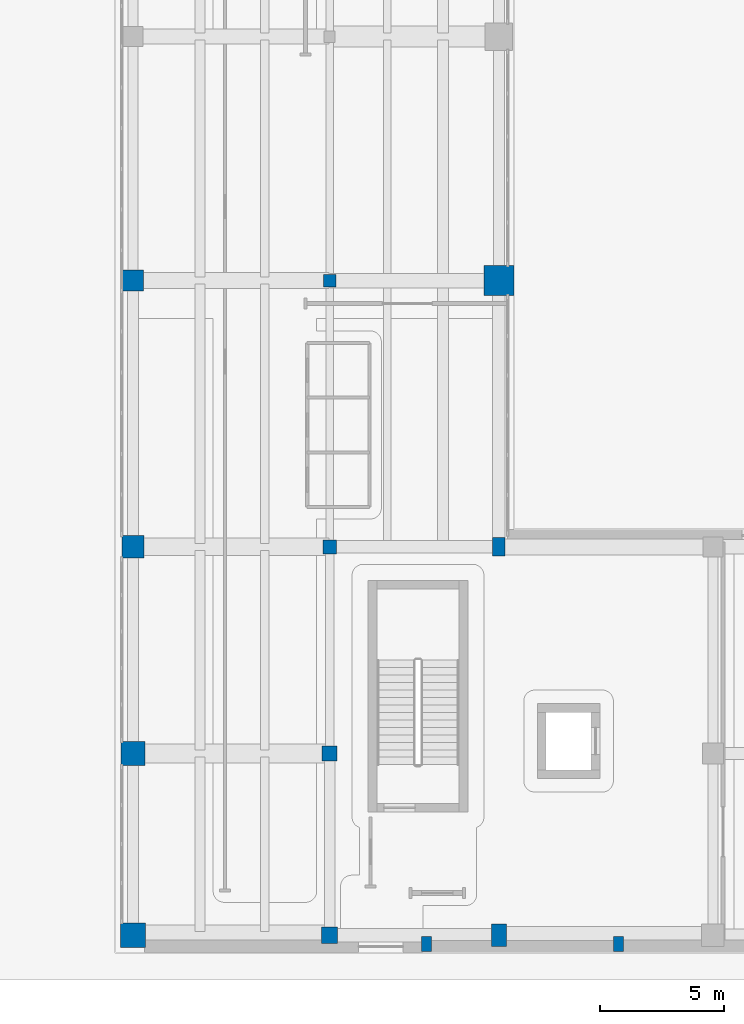
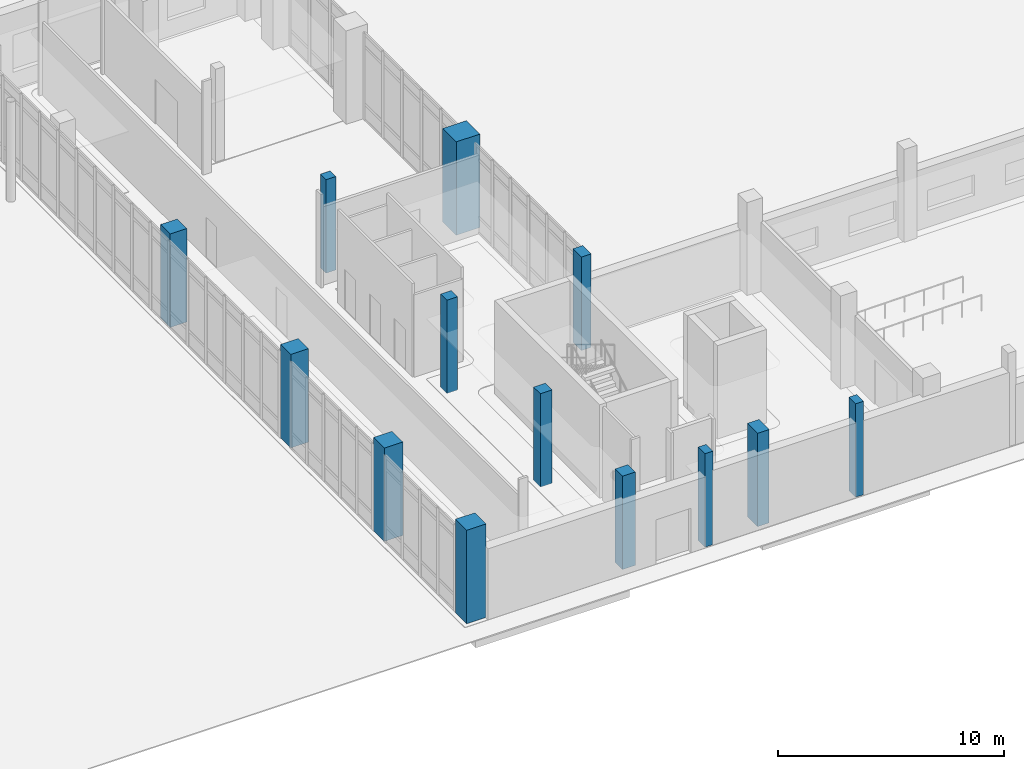
# One storey, part 4 of 74: 13 columns.
"""IFC4 building model written with IfcOpenShell, lengths in metres."""

import ifcopenshell
import ifcopenshell.guid

model = None  # the IFC model being written
_history = None  # IfcOwnerHistory: only IFC2X3 demands one
_inside = {}  # id of a spatial element -> (the spatial element, [elements in it])
_under = {}  # id of a project, library or spatial element -> (it, [spatial elements below it])
_declared = {}  # id of a project -> (the project, [libraries it declares])
_typed = {}  # id of a type object -> (the type object, [elements of that type])
_made_of = {}  # id of a material, layer set ... -> (it, [elements and type objects made of it])


def new_model(schema):
    """Start an empty IFC model of exactly this schema.

    Asked for "IFC4X3", IfcOpenShell would pick the latest addendum, in which some entities
    have other attributes; the version numbers below select the first issue.
    IFC2X3 requires an IfcOwnerHistory on every rooted entity: one is made here for all.
    """
    global model, _history
    if schema == "IFC4X3":
        model = ifcopenshell.file(schema_version=(4, 3, 0, 0))
    else:
        model = ifcopenshell.file(schema=schema)
    _inside.clear()
    _under.clear()
    _declared.clear()
    _typed.clear()
    _made_of.clear()
    _history = None
    if model.schema == "IFC2X3":
        org = make("IfcOrganization", Name="unknown")
        user = make(
            "IfcPersonAndOrganization",
            ThePerson=make("IfcPerson", FamilyName="unknown"),
            TheOrganization=org,
        )
        app = make(
            "IfcApplication",
            ApplicationDeveloper=org,
            Version="unknown",
            ApplicationFullName="unknown",
            ApplicationIdentifier="unknown",
        )
        _history = make(
            "IfcOwnerHistory",
            OwningUser=user,
            OwningApplication=app,
            ChangeAction="ADDED",
            CreationDate=0,
        )
    return model


def make(cls, **values):
    """One entity of the class cls with the attributes given. An attribute that is None is left unset."""
    return model.create_entity(
        cls, **{name: value for name, value in values.items() if value is not None}
    )


def rooted(cls, **values):
    """An entity with a GlobalId (a new one), such as an element, a storey or a relation."""
    return make(cls, GlobalId=ifcopenshell.guid.new(), OwnerHistory=_history, **values)


def si_unit(unit_type, name, prefix=None):
    """IfcSIUnit, for example si_unit("LENGTHUNIT", "METRE", prefix="MILLI")."""
    return make("IfcSIUnit", UnitType=unit_type, Prefix=prefix, Name=name)


def assignment(units):
    """IfcUnitAssignment: the units of a project."""
    return None if units is None else make("IfcUnitAssignment", Units=units)


def point(xyz):
    """IfcCartesianPoint."""
    return None if xyz is None else make("IfcCartesianPoint", Coordinates=xyz)


def direction(xyz):
    """IfcDirection."""
    return None if xyz is None else make("IfcDirection", DirectionRatios=xyz)


def frame(location, z_axis=None, x_axis=None):
    """IfcAxis2Placement3D, a coordinate frame: its origin and axes. An axis left out is left unset."""
    return make(
        "IfcAxis2Placement3D",
        Location=point(location),
        Axis=direction(z_axis),
        RefDirection=direction(x_axis),
    )


def frame_2d(location, x_axis=None):
    """IfcAxis2Placement2D, a coordinate frame in the plane: its origin and x axis."""
    return make(
        "IfcAxis2Placement2D", Location=point(location), RefDirection=direction(x_axis)
    )


def origin():
    """The frame at (0, 0, 0) with its axes left unset."""
    return frame((0.0, 0.0, 0.0))


def origin_2d():
    """The frame at (0, 0) in the plane with its x axis left unset."""
    return frame_2d((0.0, 0.0))


def place(relative_to, where):
    """IfcLocalPlacement: puts the frame where relative to a parent placement (None: the world)."""
    return make(
        "IfcLocalPlacement", PlacementRelTo=relative_to, RelativePlacement=where
    )


def context(
    kind, dimensions, precision=None, world=None, true_north=None, identifier=None
):
    """IfcGeometricRepresentationContext, for example the 3D "Model" context."""
    return make(
        "IfcGeometricRepresentationContext",
        ContextIdentifier=identifier,
        ContextType=kind,
        CoordinateSpaceDimension=dimensions,
        Precision=precision,
        WorldCoordinateSystem=world,
        TrueNorth=true_north,
    )


def subcontext(parent, identifier, kind, view, scale=None):
    """IfcGeometricRepresentationSubContext, for example "Body" below "Model"."""
    return make(
        "IfcGeometricRepresentationSubContext",
        ContextIdentifier=identifier,
        ContextType=kind,
        ParentContext=parent,
        TargetScale=scale,
        TargetView=view,
    )


def project(units=None, contexts=None):
    """IfcProject with its units and contexts."""
    return rooted(
        "IfcProject",
        Name="project",
        RepresentationContexts=contexts,
        UnitsInContext=assignment(units),
    )


def spatial(cls, under=None, at=None, **own):
    """A site, building, storey or space (cls), placed at a placement, below another one or the project."""
    s = rooted(cls, ObjectPlacement=at, **own)
    if under is not None:
        _under.setdefault(under.id(), (under, []))[1].append(s)
    return s


def profile(cls, at=None, kind="AREA", **sizes):
    """A parametric profile (cls). Its sizes go by their IFC names, for example OverallWidth=200.0."""
    return make(cls, ProfileType=kind, Position=at, **sizes)


def rectangle(**sizes):
    """IfcRectangleProfileDef."""
    return profile("IfcRectangleProfileDef", **sizes)


def extrude(swept, where, along, depth):
    """IfcExtrudedAreaSolid: the profile swept, set in the frame where, extruded along a direction by depth."""
    return make(
        "IfcExtrudedAreaSolid",
        SweptArea=swept,
        Position=where,
        ExtrudedDirection=direction(along),
        Depth=depth,
    )


def shape(context_of_items, identifier, shape_type, items):
    """IfcShapeRepresentation: the items that make up one representation, for example the "Body"."""
    return make(
        "IfcShapeRepresentation",
        ContextOfItems=context_of_items,
        RepresentationIdentifier=identifier,
        RepresentationType=shape_type,
        Items=items,
    )


def material(Name=None, Category=None):
    """IfcMaterial."""
    return make("IfcMaterial", Name=Name, Category=Category)


def material_profile(
    of_material, cross_section, Name=None, Category=None, Priority=None
):
    """IfcMaterialProfile: a cross section and its material."""
    return make(
        "IfcMaterialProfile",
        Name=Name,
        Material=of_material,
        Profile=cross_section,
        Priority=Priority,
        Category=Category,
    )


def profile_set(profiles, Name=None, composite=None):
    """IfcMaterialProfileSet."""
    return make(
        "IfcMaterialProfileSet",
        Name=Name,
        MaterialProfiles=profiles,
        CompositeProfile=composite,
    )


def made_of(thing, what):
    """Note that an element or type object is made of a material, layer set ...; save() writes the relation."""
    if what is not None:
        _made_of.setdefault(what.id(), (what, []))[1].append(thing)
    return thing


def type_object(cls, material=None, **own):
    """A type object (cls), such as IfcWallType, which elements share."""
    return made_of(rooted(cls, **own), material)


def element(
    cls,
    number,
    at=None,
    inside=None,
    cuts=None,
    type_object=None,
    material=None,
    context=None,
    identifier="Body",
    shape_type=None,
    held_by="IfcProductDefinitionShape",
    body=None,
    shapes=None,
    **own,
):
    """One element of the class cls, such as IfcWall. Its Tag is "e" and its number.

    at: its placement. inside: the storey or other place that contains it. cuts: it is an
    opening in that element (IfcRelVoidsElement). A single representation is given by context,
    identifier, shape_type and body (its items); several are given by shapes. held_by: the class
    of the entity that holds the representations. save() writes the other relations.
    """
    e = rooted(cls, Tag="e%d" % number, ObjectPlacement=at, **own)
    if body is not None:
        shapes = [shape(context, identifier, shape_type, body)]
    if shapes is not None:
        e.Representation = make(held_by, Representations=shapes)
    if inside is not None:
        _inside.setdefault(inside.id(), (inside, []))[1].append(e)
    if cuts is not None:
        rooted(
            "IfcRelVoidsElement", RelatingBuildingElement=cuts, RelatedOpeningElement=e
        )
    if type_object is not None:
        _typed.setdefault(type_object.id(), (type_object, []))[1].append(e)
    return made_of(e, material)


def aggregate(whole, parts):
    """IfcRelAggregates: a whole, such as a stair, and the parts it consists of."""
    return rooted("IfcRelAggregates", RelatingObject=whole, RelatedObjects=parts)


def save(model, path):
    """Write the relations noted so far, then the file.

    IfcRelAggregates (storeys below a building ...), IfcRelContainedInSpatialStructure (elements
    in a storey), IfcRelDefinesByType, IfcRelAssociatesMaterial and IfcRelDeclares: one each for
    every whole, place, type object, material and project.
    """
    for whole, parts in _under.values():
        aggregate(whole, parts)
    for where, things in _inside.values():
        rooted(
            "IfcRelContainedInSpatialStructure",
            RelatedElements=things,
            RelatingStructure=where,
        )
    for kind, things in _typed.values():
        rooted("IfcRelDefinesByType", RelatedObjects=things, RelatingType=kind)
    for what, things in _made_of.values():
        rooted("IfcRelAssociatesMaterial", RelatedObjects=things, RelatingMaterial=what)
    for by, libraries in _declared.values():
        rooted("IfcRelDeclares", RelatingContext=by, RelatedDefinitions=libraries)
    model.write(path)


model = new_model("IFC4")

# Units and contexts
model_context = context("Model", 3, precision=1e-05, world=origin(), true_north=direction((0.0, 1.0)))
body_context = subcontext(model_context, "Body", "Model", "MODEL_VIEW")
ifc_project = project(units=[si_unit("LENGTHUNIT", "METRE"), si_unit("AREAUNIT", "SQUARE_METRE"), si_unit("VOLUMEUNIT", "CUBIC_METRE"), si_unit("PLANEANGLEUNIT", "RADIAN"), si_unit("MASSUNIT", "GRAM", prefix="KILO")], contexts=[model_context])

# Site, building, storey
site_placement = place(None, origin())
site = spatial("IfcSite", under=ifc_project, at=site_placement, CompositionType="ELEMENT")
building_placement = place(site_placement, origin())
building = spatial("IfcBuilding", under=site, at=building_placement, Name="Soyqirgoq Riverine Aquarium", CompositionType="ELEMENT")
storey_placement = place(building_placement, origin())
storey = spatial("IfcBuildingStorey", under=building, at=storey_placement, Name="L01", CompositionType="ELEMENT", Elevation=0.0)

# Columns
ifc_material_1 = material(Name="Concrete C40/50", Category="concrete")
ifc_material_profile_1 = material_profile(ifc_material_1, rectangle(XDim=1.0, YDim=1.0, at=origin_2d()), Name="RC 1000x1000")
ifc_profile_set_1 = profile_set([ifc_material_profile_1], Name="Concrete C40/50")
column_type_1 = type_object("IfcColumnType", Name="Col_RC_1000x1000", PredefinedType="COLUMN", material=ifc_profile_set_1)
column_1_placement = place(storey_placement, frame((114.699951171875, 2.199951171875, 0.0), z_axis=(0.0, 0.0, 1.0), x_axis=(1.0, 0.0, 0.0)))
element("IfcColumn", 1, at=column_1_placement, inside=storey, type_object=column_type_1, Name="V6 Column V6-C-01 L01", PredefinedType="COLUMN", context=body_context, shape_type="SweptSolid", body=[
    extrude(rectangle(XDim=1.0, YDim=1.0, at=origin_2d()), origin(), (0.0, 0.0, 1.0), 5.050048828125),
])
ifc_material_2 = material(Name="Waterproof concrete C45/55", Category="concrete")
ifc_material_profile_2 = material_profile(ifc_material_2, rectangle(XDim=1.199951171875, YDim=1.199951171875, at=origin_2d()), Name="RC 1200x1200")
ifc_profile_set_2 = profile_set([ifc_material_profile_2], Name="Waterproof concrete C45/55")
column_type_2 = type_object("IfcColumnType", Name="Col_RC_1200x1200", PredefinedType="COLUMN", material=ifc_profile_set_2)
column_2_placement = place(storey_placement, frame((129.39990234375, 28.5, 0.0), z_axis=(0.0, 0.0, 1.0), x_axis=(1.0, 0.0, 0.0)))
element("IfcColumn", 2, at=column_2_placement, inside=storey, type_object=column_type_2, Name="V6 Column V6-C-17 L01", PredefinedType="COLUMN", context=body_context, shape_type="SweptSolid", body=[
    extrude(rectangle(XDim=1.199951171875, YDim=1.199951171875, at=origin_2d()), origin(), (0.0, 0.0, 1.0), 5.050048828125),
])
ifc_material_3 = material(Name="Concrete C40/50", Category="concrete")
ifc_material_profile_3 = material_profile(ifc_material_3, rectangle(XDim=0.5, YDim=0.5, at=origin_2d()), Name="RC 500x500")
ifc_profile_set_3 = profile_set([ifc_material_profile_3], Name="Concrete C40/50")
column_type_3 = type_object("IfcColumnType", Name="Col_RC_500x500", PredefinedType="COLUMN", material=ifc_profile_set_3)
column_3_placement = place(storey_placement, frame((122.60009765625, 28.5, 0.0), z_axis=(0.0, 0.0, 1.0), x_axis=(1.0, 0.0, 0.0)))
element("IfcColumn", 3, at=column_3_placement, inside=storey, type_object=column_type_3, Name="V6 Column V6-C-11 L01", PredefinedType="COLUMN", context=body_context, shape_type="SweptSolid", body=[
    extrude(rectangle(XDim=0.5, YDim=0.5, at=origin_2d()), origin(), (0.0, 0.0, 1.0), 5.050048828125),
])
ifc_material_4 = material(Name="Concrete C40/50", Category="concrete")
ifc_material_profile_4 = material_profile(ifc_material_4, rectangle(XDim=0.5, YDim=0.75, at=origin_2d()), Name="RC-COL 500x750")
ifc_profile_set_4 = profile_set([ifc_material_profile_4], Name="Concrete C40/50")
column_type_4 = type_object("IfcColumnType", Name="Col_RC_500x750", PredefinedType="COLUMN", material=ifc_profile_set_4)
column_4_placement = place(storey_placement, frame((129.39990234375, 17.800048828125, 0.0), z_axis=(0.0, 0.0, 1.0), x_axis=(1.0, 0.0, 0.0)))
element("IfcColumn", 4, at=column_4_placement, inside=storey, type_object=column_type_4, Name="V6 Column V6-C-16 L01", PredefinedType="COLUMN", context=body_context, shape_type="SweptSolid", body=[
    extrude(rectangle(XDim=0.5, YDim=0.75, at=origin_2d()), origin(), (0.0, 0.0, 1.0), 5.050048828125),
])
ifc_material_5 = material(Name="Concrete C40/50", Category="concrete")
ifc_material_profile_5 = material_profile(ifc_material_5, rectangle(XDim=0.550048828125, YDim=0.550048828125, at=origin_2d()), Name="RC 550x550")
ifc_profile_set_5 = profile_set([ifc_material_profile_5], Name="Concrete C40/50")
column_type_5 = type_object("IfcColumnType", Name="Col_RC_550x550", PredefinedType="COLUMN", material=ifc_profile_set_5)
column_5_placement = place(storey_placement, frame((122.60009765625, 17.800048828125, 0.0), z_axis=(0.0, 0.0, 1.0), x_axis=(1.0, 0.0, 0.0)))
element("IfcColumn", 5, at=column_5_placement, inside=storey, type_object=column_type_5, Name="V6 Column V6-C-10 L01", PredefinedType="COLUMN", context=body_context, shape_type="SweptSolid", body=[
    extrude(rectangle(XDim=0.550048828125, YDim=0.550048828125, at=origin_2d()), origin(), (0.0, 0.0, 1.0), 5.050048828125),
])
ifc_material_6 = material(Name="Concrete C40/50", Category="concrete")
ifc_material_profile_6 = material_profile(ifc_material_6, rectangle(XDim=0.60009765625, YDim=0.60009765625, at=origin_2d()), Name="RC 600x600")
ifc_profile_set_6 = profile_set([ifc_material_profile_6], Name="Concrete C40/50")
column_type_6 = type_object("IfcColumnType", Name="Col_RC_600x600", PredefinedType="COLUMN", material=ifc_profile_set_6)
column_6_placement = place(storey_placement, frame((122.60009765625, 9.5, 0.0), z_axis=(0.0, 0.0, 1.0), x_axis=(1.0, 0.0, 0.0)))
element("IfcColumn", 6, at=column_6_placement, inside=storey, type_object=column_type_6, Name="V6 Column V6-C-09 L01", PredefinedType="COLUMN", context=body_context, shape_type="SweptSolid", body=[
    extrude(rectangle(XDim=0.60009765625, YDim=0.60009765625, at=origin_2d()), origin(), (0.0, 0.0, 1.0), 5.050048828125),
])
ifc_material_7 = material(Name="Concrete C40/50", Category="concrete")
ifc_material_profile_7 = material_profile(ifc_material_7, rectangle(XDim=0.60009765625, YDim=0.89990234375, at=origin_2d()), Name="RC-COL 600x900")
ifc_profile_set_7 = profile_set([ifc_material_profile_7], Name="Concrete C40/50")
column_type_7 = type_object("IfcColumnType", Name="Col_RC_600x900", PredefinedType="COLUMN", material=ifc_profile_set_7)
column_7_placement = place(storey_placement, frame((129.39990234375, 2.199951171875, 0.0), z_axis=(0.0, 0.0, 1.0), x_axis=(1.0, 0.0, 0.0)))
element("IfcColumn", 7, at=column_7_placement, inside=storey, type_object=column_type_7, Name="V6 Column V6-C-15 L01", PredefinedType="COLUMN", context=body_context, shape_type="SweptSolid", body=[
    extrude(rectangle(XDim=0.60009765625, YDim=0.89990234375, at=origin_2d()), origin(), (0.0, 0.0, 1.0), 5.050048828125),
])
ifc_material_8 = material(Name="Concrete C40/50", Category="concrete")
ifc_material_profile_8 = material_profile(ifc_material_8, rectangle(XDim=0.64990234375, YDim=0.64990234375, at=origin_2d()), Name="RC 650x650")
ifc_profile_set_8 = profile_set([ifc_material_profile_8], Name="Concrete C40/50")
column_type_8 = type_object("IfcColumnType", Name="Col_RC_650x650", PredefinedType="COLUMN", material=ifc_profile_set_8)
column_8_placement = place(storey_placement, frame((122.60009765625, 2.199951171875, 0.0), z_axis=(0.0, 0.0, 1.0), x_axis=(1.0, 0.0, 0.0)))
element("IfcColumn", 8, at=column_8_placement, inside=storey, type_object=column_type_8, Name="V6 Column V6-C-08 L01", PredefinedType="COLUMN", context=body_context, shape_type="SweptSolid", body=[
    extrude(rectangle(XDim=0.64990234375, YDim=0.64990234375, at=origin_2d()), origin(), (0.0, 0.0, 1.0), 5.050048828125),
])
ifc_material_9 = material(Name="Concrete C40/50", Category="concrete")
ifc_material_profile_9 = material_profile(ifc_material_9, rectangle(XDim=0.85009765625, YDim=0.85009765625, at=origin_2d()), Name="RC 850x850")
ifc_profile_set_9 = profile_set([ifc_material_profile_9], Name="Concrete C40/50")
column_type_9 = type_object("IfcColumnType", Name="Col_RC_850x850", PredefinedType="COLUMN", material=ifc_profile_set_9)
column_9_placement = place(storey_placement, frame((114.699951171875, 28.5, 0.0), z_axis=(0.0, 0.0, 1.0), x_axis=(1.0, 0.0, 0.0)))
element("IfcColumn", 9, at=column_9_placement, inside=storey, type_object=column_type_9, Name="V6 Column V6-C-04 L01", PredefinedType="COLUMN", context=body_context, shape_type="SweptSolid", body=[
    extrude(rectangle(XDim=0.85009765625, YDim=0.85009765625, at=origin_2d()), origin(), (0.0, 0.0, 1.0), 5.050048828125),
])
ifc_material_10 = material(Name="Concrete C40/50", Category="concrete")
ifc_material_profile_10 = material_profile(ifc_material_10, rectangle(XDim=0.89990234375, YDim=0.89990234375, at=origin_2d()), Name="RC 900x900")
ifc_profile_set_10 = profile_set([ifc_material_profile_10], Name="Concrete C40/50")
column_type_10 = type_object("IfcColumnType", Name="Col_RC_900x900", PredefinedType="COLUMN", material=ifc_profile_set_10)
column_10_placement = place(storey_placement, frame((114.699951171875, 17.800048828125, 0.0), z_axis=(0.0, 0.0, 1.0), x_axis=(1.0, 0.0, 0.0)))
element("IfcColumn", 10, at=column_10_placement, inside=storey, type_object=column_type_10, Name="V6 Column V6-C-03 L01", PredefinedType="COLUMN", context=body_context, shape_type="SweptSolid", body=[
    extrude(rectangle(XDim=0.89990234375, YDim=0.89990234375, at=origin_2d()), origin(), (0.0, 0.0, 1.0), 5.050048828125),
])
ifc_material_11 = material(Name="Concrete C40/50", Category="concrete")
ifc_material_profile_11 = material_profile(ifc_material_11, rectangle(XDim=0.949951171875, YDim=0.949951171875, at=origin_2d()), Name="RC 950x950")
ifc_profile_set_11 = profile_set([ifc_material_profile_11], Name="Concrete C40/50")
column_type_11 = type_object("IfcColumnType", Name="Col_RC_950x950", PredefinedType="COLUMN", material=ifc_profile_set_11)
column_11_placement = place(storey_placement, frame((114.699951171875, 9.5, 0.0), z_axis=(0.0, 0.0, 1.0), x_axis=(1.0, 0.0, 0.0)))
element("IfcColumn", 11, at=column_11_placement, inside=storey, type_object=column_type_11, Name="V6 Column V6-C-02 L01", PredefinedType="COLUMN", context=body_context, shape_type="SweptSolid", body=[
    extrude(rectangle(XDim=0.949951171875, YDim=0.949951171875, at=origin_2d()), origin(), (0.0, 0.0, 1.0), 5.050048828125),
])
ifc_material_12 = material(Name="Concrete C40/50", Category="concrete")
ifc_material_profile_12 = material_profile(ifc_material_12, rectangle(XDim=0.39990234375, YDim=0.60009765625, at=origin_2d()), Name="RC-PIL 400x600")
ifc_profile_set_12 = profile_set([ifc_material_profile_12], Name="Concrete C40/50")
column_type_12 = type_object("IfcColumnType", Name="Pilaster_400x600", PredefinedType="PILASTER", material=ifc_profile_set_12)
for number, where, z_axis, x_axis, name in (
    (12, (126.5, 1.85009765625, 0.0), (0.0, 0.0, 1.0), (1.0, 0.0, 0.0), "V6 Facade Pilaster PIL-V6-01 L01"),
    (13, (134.199951171875, 1.85009765625, 0.0), (0.0, 0.0, 1.0), (1.0, 0.0, 0.0), "V6 Facade Pilaster PIL-V6-03 L01"),
):
    element("IfcColumn", number, at=place(storey_placement, frame(where, z_axis=z_axis, x_axis=x_axis)), inside=storey, type_object=column_type_12, Name=name, PredefinedType="PILASTER", context=body_context, shape_type="SweptSolid", body=[
        extrude(rectangle(XDim=0.39990234375, YDim=0.60009765625, at=origin_2d()), origin(), (0.0, 0.0, 1.0), 5.050048828125),
    ])

save(model, "model.ifc")
